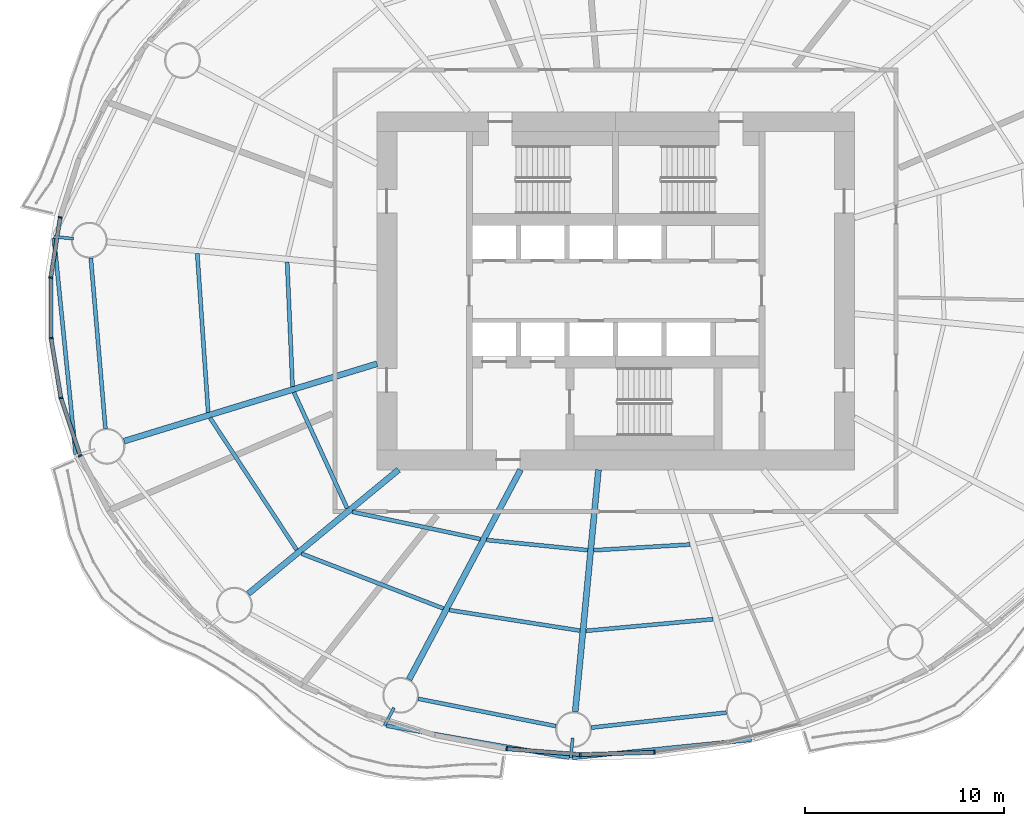
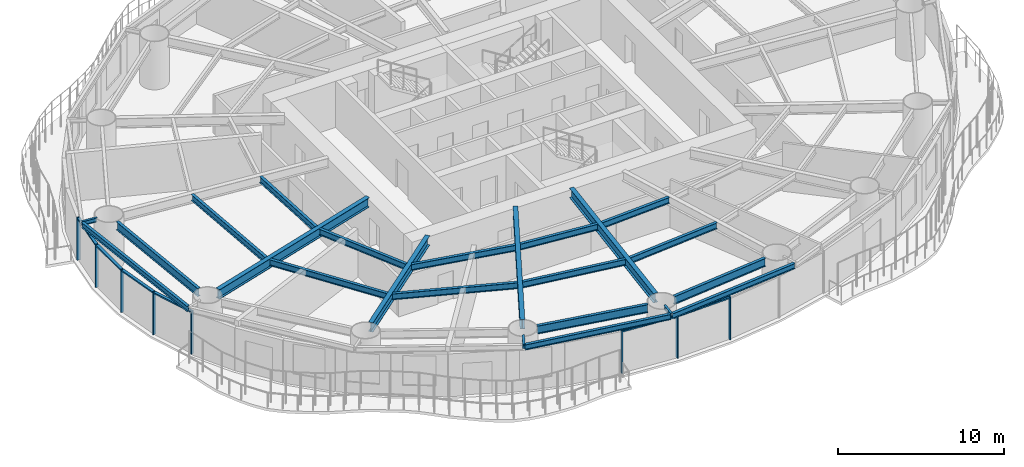
# One storey, part 2 of 17: 23 beams, 14 members, 7 elements without a shape of their own.
"""IFC4 building model written with IfcOpenShell, lengths in metres."""

from ifc_helpers import new_model, si_unit, direction, frame, origin, origin_2d, place, context, subcontext, project, spatial, rectangle, i_section, extrude, material, material_profile, profile_set, type_object, element, aggregate, save


model = new_model("IFC4")

# Units and contexts
model_context = context("Model", 3, precision=1e-05, world=origin(), true_north=direction((0.0, 1.0)))
body_context = subcontext(model_context, "Body", "Model", "MODEL_VIEW")
ifc_project = project(units=[si_unit("LENGTHUNIT", "METRE"), si_unit("AREAUNIT", "SQUARE_METRE"), si_unit("VOLUMEUNIT", "CUBIC_METRE"), si_unit("PLANEANGLEUNIT", "RADIAN"), si_unit("MASSUNIT", "GRAM", prefix="KILO")], contexts=[model_context])

# Site, building, storey
site_placement = place(None, origin())
site = spatial("IfcSite", under=ifc_project, at=site_placement, CompositionType="ELEMENT")
building_placement = place(site_placement, origin())
building = spatial("IfcBuilding", under=site, at=building_placement, Name="Vermilion Reach Broadcast Tower", CompositionType="ELEMENT")
storey_placement = place(building_placement, frame((0.0, 0.0, 54.5)))
storey = spatial("IfcBuildingStorey", under=building, at=storey_placement, Name="L10", CompositionType="ELEMENT", Elevation=54.5)

# Beams
ifc_material_1 = material(Name="Steel S355J2", Category="steel")
ifc_material_profile_1 = material_profile(ifc_material_1, i_section(OverallWidth=0.199951171875, OverallDepth=0.39990234375, WebThickness=0.008056640625, FlangeThickness=0.012939453125, at=origin_2d()), Name="S355J2 HN 400x200x8x13")
ifc_profile_set_1 = profile_set([ifc_material_profile_1], Name="Steel S355J2")
beam_type_1 = type_object("IfcBeamType", Name="EB1 HN 400x200x8x13", PredefinedType="BEAM", material=ifc_profile_set_1)
beam_1_placement = place(storey_placement, frame((-34.2412109375, 2.638916015625, 3.35009765625), z_axis=(0.100362561945, -0.994950931534, 0.0), x_axis=(0.994950931534, 0.100362561945, 0.0)))
element("IfcBeam", 1, at=beam_1_placement, inside=storey, type_object=beam_type_1, Name="Edge beam EB1-08", PredefinedType="BEAM", context=body_context, shape_type="SweptSolid", body=[
    extrude(i_section(OverallWidth=0.199951171875, OverallDepth=0.39990234375, WebThickness=0.008056640625, FlangeThickness=0.012939453125, at=origin_2d()), origin(), (0.0, 0.0, 1.0), 10.919921875),
])
beam_2_placement = place(storey_placement, frame((-17.535888671875, -21.864501953125, 3.35009765625), z_axis=(0.985051200798, -0.172261811805, 0.0), x_axis=(0.172261811805, 0.985051200798, 0.0)))
element("IfcBeam", 2, at=beam_2_placement, inside=storey, type_object=beam_type_1, Name="Edge beam EB1-11", PredefinedType="BEAM", context=body_context, shape_type="SweptSolid", body=[
    extrude(i_section(OverallWidth=0.199951171875, OverallDepth=0.39990234375, WebThickness=0.008056640625, FlangeThickness=0.012939453125, at=origin_2d()), origin(), (0.0, 0.0, 1.0), 9.343994140625),
])
beam_3_placement = place(storey_placement, frame((-8.181396484375, -23.4794921875, 3.35009765625), z_axis=(0.994950308278, 0.100368740444, 0.0), x_axis=(-0.100368740444, 0.994950308278, 0.0)))
element("IfcBeam", 3, at=beam_3_placement, inside=storey, type_object=beam_type_1, Name="Edge beam EB1-12", PredefinedType="BEAM", context=body_context, shape_type="SweptSolid", body=[
    extrude(i_section(OverallWidth=0.199951171875, OverallDepth=0.39990234375, WebThickness=0.008056640625, FlangeThickness=0.012939453125, at=origin_2d()), origin(), (0.0, 0.0, 1.0), 9.053466796875),
])
ifc_material_2 = material(Name="Steel S355J2", Category="steel")
ifc_material_profile_2 = material_profile(ifc_material_2, i_section(OverallWidth=0.300048828125, OverallDepth=0.699951171875, WebThickness=0.012939453125, FlangeThickness=0.02392578125, at=origin_2d()), Name="S355J2 HN 700x300x13x24")
ifc_profile_set_2 = profile_set([ifc_material_profile_2], Name="Steel S355J2")
beam_type_2 = type_object("IfcBeamType", Name="G1 HN 700x300x13x24", PredefinedType="BEAM", material=ifc_profile_set_2)
beam_4_placement = place(storey_placement, frame((-18.0, -3.671142578125, 3.199951171875), z_axis=(-0.956255735186, -0.292531996409, 0.0), x_axis=(0.292531996409, -0.956255735186, 0.0)))
element("IfcBeam", 4, at=beam_4_placement, inside=storey, type_object=beam_type_2, Name="Girder G1-09", PredefinedType="BEAM", context=body_context, shape_type="SweptSolid", body=[
    extrude(i_section(OverallWidth=0.300048828125, OverallDepth=0.699951171875, WebThickness=0.012939453125, FlangeThickness=0.02392578125, at=origin_2d()), origin(), (0.0, 0.0, 1.0), 13.29638671875),
])
beam_5_placement = place(storey_placement, frame((-16.9140625, -9.0, 3.199951171875), z_axis=(-0.771514256373, -0.636212034005, 0.0), x_axis=(0.636212034005, -0.771514256373, 0.0)))
element("IfcBeam", 5, at=beam_5_placement, inside=storey, type_object=beam_type_2, Name="Girder G1-10", PredefinedType="BEAM", context=body_context, shape_type="SweptSolid", body=[
    extrude(i_section(OverallWidth=0.300048828125, OverallDepth=0.699951171875, WebThickness=0.012939453125, FlangeThickness=0.02392578125, at=origin_2d()), origin(), (0.0, 0.0, 1.0), 9.796142578125),
])
beam_6_placement = place(storey_placement, frame((-10.783447265625, -9.0, 3.199951171875), z_axis=(-0.469312182262, -0.883032318537, 0.0), x_axis=(0.883032318537, -0.469312182262, 0.0)))
element("IfcBeam", 6, at=beam_6_placement, inside=storey, type_object=beam_type_2, Name="Girder G1-11", PredefinedType="BEAM", context=body_context, shape_type="SweptSolid", body=[
    extrude(i_section(OverallWidth=0.300048828125, OverallDepth=0.699951171875, WebThickness=0.012939453125, FlangeThickness=0.02392578125, at=origin_2d()), origin(), (0.0, 0.0, 1.0), 11.94091796875),
])
beam_7_placement = place(storey_placement, frame((-6.864990234375, -9.0, 3.199951171875), z_axis=(-0.09566673912, -0.995413419151, 0.0), x_axis=(0.995413419151, -0.09566673912, 0.0)))
element("IfcBeam", 7, at=beam_7_placement, inside=storey, type_object=beam_type_2, Name="Girder G1-12", PredefinedType="BEAM", context=body_context, shape_type="SweptSolid", body=[
    extrude(i_section(OverallWidth=0.300048828125, OverallDepth=0.699951171875, WebThickness=0.012939453125, FlangeThickness=0.02392578125, at=origin_2d()), origin(), (0.0, 0.0, 1.0), 12.22412109375),
])
ifc_material_3 = material(Name="Steel S355J2", Category="steel")
ifc_material_profile_3 = material_profile(ifc_material_3, i_section(OverallWidth=0.14990234375, OverallDepth=0.300048828125, WebThickness=0.006591796875, FlangeThickness=0.009033203125, at=origin_2d()), Name="S355J2 HN 300x150x6.5x9")
ifc_profile_set_3 = profile_set([ifc_material_profile_3], Name="Steel S355J2")
beam_type_3 = type_object("IfcBeamType", Name="GS1 HN 300x150x6.5x9", PredefinedType="BEAM", material=ifc_profile_set_3)
for number, where, z_axis, x_axis, name in (
    (8, (-33.25341796875, 2.619384765625, 3.39990234375), (-0.995409476419, 0.095707754417, 0.0), (-0.095707754417, -0.995409476419, 0.0), "Cantilever stub GS1-08"),
    (9, (-17.144287109375, -20.968017578125, 3.39990234375), (-0.469244476458, -0.883068299348, 0.0), (0.883068299348, -0.469244476458, 0.0), "Cantilever stub GS1-11"),
    (10, (-8.161865234375, -22.49169921875, 3.39990234375), (-0.095465829939, -0.995432707577, 0.0), (0.995432707577, -0.095465829939, 0.0), "Cantilever stub GS1-12"),
):
    element("IfcBeam", number, at=place(storey_placement, frame(where, z_axis=z_axis, x_axis=x_axis)), inside=storey, type_object=beam_type_3, Name=name, PredefinedType="BEAM", context=body_context, shape_type="SweptSolid", body=[
        extrude(i_section(OverallWidth=0.14990234375, OverallDepth=0.300048828125, WebThickness=0.006591796875, FlangeThickness=0.009033203125, at=origin_2d()), origin(), (0.0, 0.0, 1.0), 1.0),
    ])
ifc_material_4 = material(Name="Steel S355J2", Category="steel")
ifc_material_profile_4 = material_profile(ifc_material_4, i_section(OverallWidth=0.199951171875, OverallDepth=0.60009765625, WebThickness=0.010986328125, FlangeThickness=0.01708984375, at=origin_2d()), Name="S355J2 HN 600x200x11x17")
ifc_profile_set_4 = profile_set([ifc_material_profile_4], Name="Steel S355J2")
beam_type_4 = type_object("IfcBeamType", Name="RB1 HN 600x200x11x17", PredefinedType="BEAM", material=ifc_profile_set_4)
beam_8_placement = place(storey_placement, frame((-32.38720703125, 1.646728515625, 3.25), z_axis=(0.085395508608, -0.996347131832, 0.0), x_axis=(0.996347131832, 0.085395508608, 0.0)))
element("IfcBeam", 11, at=beam_8_placement, inside=storey, type_object=beam_type_4, Name="Ring beam RB1-08", PredefinedType="BEAM", context=body_context, shape_type="SweptSolid", body=[
    extrude(i_section(OverallWidth=0.199951171875, OverallDepth=0.60009765625, WebThickness=0.010986328125, FlangeThickness=0.01708984375, at=origin_2d()), origin(), (0.0, 0.0, 1.0), 8.60546875),
])
beam_9_placement = place(storey_placement, frame((-15.927001953125, -20.51416015625, 3.25), z_axis=(0.980857717995, -0.194725799651, 0.0), x_axis=(0.194725799651, 0.980857717995, 0.0)))
element("IfcBeam", 12, at=beam_9_placement, inside=storey, type_object=beam_type_4, Name="Ring beam RB1-11", PredefinedType="BEAM", context=body_context, shape_type="SweptSolid", body=[
    extrude(i_section(OverallWidth=0.199951171875, OverallDepth=0.60009765625, WebThickness=0.010986328125, FlangeThickness=0.01708984375, at=origin_2d()), origin(), (0.0, 0.0, 1.0), 7.05859375),
])
beam_10_placement = place(storey_placement, frame((-7.22607421875, -21.964111328125, 3.25), z_axis=(0.993851439324, 0.110721798009, 0.0), x_axis=(-0.110721798009, 0.993851439324, 0.0)))
element("IfcBeam", 13, at=beam_10_placement, inside=storey, type_object=beam_type_4, Name="Ring beam RB1-12", PredefinedType="BEAM", context=body_context, shape_type="SweptSolid", body=[
    extrude(i_section(OverallWidth=0.199951171875, OverallDepth=0.60009765625, WebThickness=0.010986328125, FlangeThickness=0.01708984375, at=origin_2d()), origin(), (0.0, 0.0, 1.0), 6.8310546875),
])
ifc_material_5 = material(Name="Steel S355J2", Category="steel")
ifc_material_profile_5 = material_profile(ifc_material_5, i_section(OverallWidth=0.199951171875, OverallDepth=0.449951171875, WebThickness=0.009033203125, FlangeThickness=0.013916015625, at=origin_2d()), Name="S355J2 HN 450x200x9x14")
ifc_profile_set_5 = profile_set([ifc_material_profile_5], Name="Steel S355J2")
beam_type_5 = type_object("IfcBeamType", Name="SB1 HN 450x200x9x14", PredefinedType="BEAM", material=ifc_profile_set_5)
beam_11_placement = place(storey_placement, frame((-22.51611328125, 1.436767578125, 3.324951171875), z_axis=(0.043361007512, -0.999059469215, 0.0), x_axis=(0.999059469215, 0.043361007512, 0.0)))
element("IfcBeam", 14, at=beam_11_placement, inside=storey, type_object=beam_type_5, Name="Secondary beam SB1-08-1", PredefinedType="BEAM", context=body_context, shape_type="SweptSolid", body=[
    extrude(i_section(OverallWidth=0.199951171875, OverallDepth=0.449951171875, WebThickness=0.009033203125, FlangeThickness=0.013916015625, at=origin_2d()), origin(), (0.0, 0.0, 1.0), 6.25537109375),
])
beam_12_placement = place(storey_placement, frame((-27.03515625, 1.87109375, 3.324951171875), z_axis=(0.068507801475, -0.997650580683, 0.0), x_axis=(0.997650580683, 0.068507801475, 0.0)))
element("IfcBeam", 15, at=beam_12_placement, inside=storey, type_object=beam_type_5, Name="Secondary beam SB1-08-2", PredefinedType="BEAM", context=body_context, shape_type="SweptSolid", body=[
    extrude(i_section(OverallWidth=0.199951171875, OverallDepth=0.449951171875, WebThickness=0.009033203125, FlangeThickness=0.013916015625, at=origin_2d()), origin(), (0.0, 0.0, 1.0), 8.00048828125),
])
beam_13_placement = place(storey_placement, frame((-22.175048828125, -5.105224609375, 3.324951171875), z_axis=(0.417211452529, -0.908809443106, 0.0), x_axis=(0.908809443106, 0.417211452529, 0.0)))
element("IfcBeam", 16, at=beam_13_placement, inside=storey, type_object=beam_type_5, Name="Secondary beam SB1-09-1", PredefinedType="BEAM", context=body_context, shape_type="SweptSolid", body=[
    extrude(i_section(OverallWidth=0.199951171875, OverallDepth=0.449951171875, WebThickness=0.009033203125, FlangeThickness=0.013916015625, at=origin_2d()), origin(), (0.0, 0.0, 1.0), 6.41650390625),
])
beam_14_placement = place(storey_placement, frame((-26.390625, -6.394775390625, 3.324951171875), z_axis=(0.548800909102, -0.835953086105, 0.0), x_axis=(0.835953086105, 0.548800909102, 0.0)))
element("IfcBeam", 17, at=beam_14_placement, inside=storey, type_object=beam_type_5, Name="Secondary beam SB1-09-2", PredefinedType="BEAM", context=body_context, shape_type="SweptSolid", body=[
    extrude(i_section(OverallWidth=0.199951171875, OverallDepth=0.449951171875, WebThickness=0.009033203125, FlangeThickness=0.013916015625, at=origin_2d()), origin(), (0.0, 0.0, 1.0), 7.935791015625),
])
beam_15_placement = place(storey_placement, frame((-19.24560546875, -11.1171875, 3.324951171875), z_axis=(0.978270372412, -0.207333254596, 0.0), x_axis=(0.207333254596, 0.978270372412, 0.0)))
element("IfcBeam", 18, at=beam_15_placement, inside=storey, type_object=beam_type_5, Name="Secondary beam SB1-10-1", PredefinedType="BEAM", context=body_context, shape_type="SweptSolid", body=[
    extrude(i_section(OverallWidth=0.199951171875, OverallDepth=0.449951171875, WebThickness=0.009033203125, FlangeThickness=0.013916015625, at=origin_2d()), origin(), (0.0, 0.0, 1.0), 6.584716796875),
])
beam_16_placement = place(storey_placement, frame((-21.7919921875, -13.217041015625, 3.324951171875), z_axis=(0.932680743753, -0.360702966765, 0.0), x_axis=(0.360702966765, 0.932680743753, 0.0)))
element("IfcBeam", 19, at=beam_16_placement, inside=storey, type_object=beam_type_5, Name="Secondary beam SB1-10-2", PredefinedType="BEAM", context=body_context, shape_type="SweptSolid", body=[
    extrude(i_section(OverallWidth=0.199951171875, OverallDepth=0.449951171875, WebThickness=0.009033203125, FlangeThickness=0.013916015625, at=origin_2d()), origin(), (0.0, 0.0, 1.0), 7.646240234375),
])
beam_17_placement = place(storey_placement, frame((-12.490234375, -12.531005859375, 3.324951171875), z_axis=(0.995010199331, -0.099773259079, 0.0), x_axis=(0.099773259079, 0.995010199331, 0.0)))
element("IfcBeam", 20, at=beam_17_placement, inside=storey, type_object=beam_type_5, Name="Secondary beam SB1-11-1", PredefinedType="BEAM", context=body_context, shape_type="SweptSolid", body=[
    extrude(i_section(OverallWidth=0.199951171875, OverallDepth=0.449951171875, WebThickness=0.009033203125, FlangeThickness=0.013916015625, at=origin_2d()), origin(), (0.0, 0.0, 1.0), 5.111572265625),
])
beam_18_placement = place(storey_placement, frame((-14.36279296875, -16.05419921875, 3.324951171875), z_axis=(0.987829548379, -0.155540294938, 0.0), x_axis=(0.155540294938, 0.987829548379, 0.0)))
element("IfcBeam", 21, at=beam_18_placement, inside=storey, type_object=beam_type_5, Name="Secondary beam SB1-11-2", PredefinedType="BEAM", context=body_context, shape_type="SweptSolid", body=[
    extrude(i_section(OverallWidth=0.199951171875, OverallDepth=0.449951171875, WebThickness=0.009033203125, FlangeThickness=0.013916015625, at=origin_2d()), origin(), (0.0, 0.0, 1.0), 6.650634765625),
])
beam_19_placement = place(storey_placement, frame((-7.103271484375, -13.046875, 3.324951171875), z_axis=(0.99823410974, 0.059402543307, 0.0), x_axis=(-0.059402543307, 0.99823410974, 0.0)))
element("IfcBeam", 22, at=beam_19_placement, inside=storey, type_object=beam_type_5, Name="Secondary beam SB1-12-1", PredefinedType="BEAM", context=body_context, shape_type="SweptSolid", body=[
    extrude(i_section(OverallWidth=0.199951171875, OverallDepth=0.449951171875, WebThickness=0.009033203125, FlangeThickness=0.013916015625, at=origin_2d()), origin(), (0.0, 0.0, 1.0), 4.85791015625),
])
beam_20_placement = place(storey_placement, frame((-7.49267578125, -17.09814453125, 3.324951171875), z_axis=(0.995818616382, 0.091352521952, 0.0), x_axis=(-0.091352521952, 0.995818616382, 0.0)))
element("IfcBeam", 23, at=beam_20_placement, inside=storey, type_object=beam_type_5, Name="Secondary beam SB1-12-2", PredefinedType="BEAM", context=body_context, shape_type="SweptSolid", body=[
    extrude(i_section(OverallWidth=0.199951171875, OverallDepth=0.449951171875, WebThickness=0.009033203125, FlangeThickness=0.013916015625, at=origin_2d()), origin(), (0.0, 0.0, 1.0), 6.4140625),
])

# Curtain wall, member
ifc_material_6 = material(Name="Low-e laminated clear glass in aluminium frame", Category="aluminium")
curtain_wall_type = type_object("IfcCurtainWallType", Name="Slot curtain wall", PredefinedType="NOTDEFINED", material=ifc_material_6)
placement = place(storey_placement, origin())
curtain_wall_1 = element("IfcCurtainWall", 24, at=placement, inside=storey, type_object=curtain_wall_type, Name="Slot curtain wall L10 22", PredefinedType="NOTDEFINED")
ifc_material_7 = material(Name="Anodised aluminium", Category="aluminium")
ifc_material_profile_6 = material_profile(ifc_material_7, rectangle(XDim=0.199951171875, YDim=0.080078125, at=origin_2d()), Name="Slot mullion 80 x 200")
ifc_profile_set_6 = profile_set([ifc_material_profile_6], Name="Anodised aluminium")
member_type_1 = type_object("IfcMemberType", Name="Slot mullion 80 x 200", PredefinedType="MULLION", material=ifc_profile_set_6)
member_1_placement = place(storey_placement, frame((-33.926025390625, 3.68798828125, 0.0), z_axis=(0.0, 0.0, 1.0), x_axis=(0.973285467986, -0.229598340167, 0.0)))
member_1 = element("IfcMember", 25, at=member_1_placement, type_object=member_type_1, Name="Slot mullion L10 22", PredefinedType="MULLION", context=body_context, shape_type="SweptSolid", body=[
    extrude(rectangle(XDim=0.199951171875, YDim=0.080078125, at=origin_2d()), origin(), (0.0, 0.0, 1.0), 3.14990234375),
])

curtain_wall_2 = element("IfcCurtainWall", 26, at=placement, inside=storey, type_object=curtain_wall_type, Name="Slot curtain wall L10 23", PredefinedType="NOTDEFINED")
member_2_placement = place(storey_placement, frame((-34.397705078125, 0.6572265625, 0.0), z_axis=(0.0, 0.0, 1.0), x_axis=(0.997173504298, -0.075133230503, 0.0)))
member_2 = element("IfcMember", 27, at=member_2_placement, type_object=member_type_1, Name="Slot mullion L10 23", PredefinedType="MULLION", context=body_context, shape_type="SweptSolid", body=[
    extrude(rectangle(XDim=0.199951171875, YDim=0.080078125, at=origin_2d()), origin(), (0.0, 0.0, 1.0), 3.14990234375),
])

curtain_wall_3 = element("IfcCurtainWall", 28, at=placement, inside=storey, type_object=curtain_wall_type, Name="Slot curtain wall L10 24", PredefinedType="NOTDEFINED")
member_3_placement = place(storey_placement, frame((-34.3857421875, -2.383544921875, 0.0), z_axis=(0.0, 0.0, 1.0), x_axis=(0.996492861481, 0.083677816757, 0.0)))
member_3 = element("IfcMember", 29, at=member_3_placement, type_object=member_type_1, Name="Slot mullion L10 24", PredefinedType="MULLION", context=body_context, shape_type="SweptSolid", body=[
    extrude(rectangle(XDim=0.199951171875, YDim=0.080078125, at=origin_2d()), origin(), (0.0, 0.0, 1.0), 3.14990234375),
])

# Curtain wall, members
curtain_wall_4 = element("IfcCurtainWall", 30, at=placement, inside=storey, type_object=curtain_wall_type, Name="Slot curtain wall L10 25", PredefinedType="NOTDEFINED")
member_4_placement = place(storey_placement, frame((-33.890380859375, -5.384033203125, 0.0), z_axis=(0.0, 0.0, 1.0), x_axis=(0.97067926239, 0.240378388309, 0.0)))
member_4 = element("IfcMember", 31, at=member_4_placement, type_object=member_type_1, Name="Slot mullion L10 25", PredefinedType="MULLION", context=body_context, shape_type="SweptSolid", body=[
    extrude(rectangle(XDim=0.199951171875, YDim=0.080078125, at=origin_2d()), origin(), (0.0, 0.0, 1.0), 3.14990234375),
])
member_5_placement = place(storey_placement, frame((-32.919921875, -8.29345703125, 0.0), z_axis=(0.0, 0.0, 1.0), x_axis=(0.921365789594, 0.388696644912, 0.0)))
member_5 = element("IfcMember", 32, at=member_5_placement, type_object=member_type_1, Name="Slot mullion L10 26", PredefinedType="MULLION", context=body_context, shape_type="SweptSolid", body=[
    extrude(rectangle(XDim=0.199951171875, YDim=0.080078125, at=origin_2d()), origin(), (0.0, 0.0, 1.0), 3.14990234375),
])

# Curtain wall, member
curtain_wall_5 = element("IfcCurtainWall", 33, at=placement, inside=storey, type_object=curtain_wall_type, Name="Slot curtain wall L10 34", PredefinedType="NOTDEFINED")
member_6_placement = place(storey_placement, frame((-11.47802734375, -23.030517578125, 0.0), z_axis=(0.0, 0.0, 1.0), x_axis=(0.132273716698, 0.991213228257, 0.0)))
member_6 = element("IfcMember", 34, at=member_6_placement, type_object=member_type_1, Name="Slot mullion L10 34", PredefinedType="MULLION", context=body_context, shape_type="SweptSolid", body=[
    extrude(rectangle(XDim=0.199951171875, YDim=0.080078125, at=origin_2d()), origin(), (0.0, 0.0, 1.0), 3.14990234375),
])

curtain_wall_6 = element("IfcCurtainWall", 35, at=placement, inside=storey, type_object=curtain_wall_type, Name="Slot curtain wall L10 35", PredefinedType="NOTDEFINED")
member_7_placement = place(storey_placement, frame((-7.780029296875, -23.31884765625, 0.0), z_axis=(0.0, 0.0, 1.0), x_axis=(0.023837860738, 0.999715837824, 0.0)))
member_7 = element("IfcMember", 36, at=member_7_placement, type_object=member_type_1, Name="Slot mullion L10 35", PredefinedType="MULLION", context=body_context, shape_type="SweptSolid", body=[
    extrude(rectangle(XDim=0.199951171875, YDim=0.080078125, at=origin_2d()), origin(), (0.0, 0.0, 1.0), 3.14990234375),
])

curtain_wall_7 = element("IfcCurtainWall", 37, at=placement, inside=storey, type_object=curtain_wall_type, Name="Slot curtain wall L10 36", PredefinedType="NOTDEFINED")
member_8_placement = place(storey_placement, frame((-4.05126953125, -23.20654296875, 0.0), z_axis=(0.0, 0.0, 1.0), x_axis=(-0.083677890987, 0.996492855248, 0.0)))
member_8 = element("IfcMember", 38, at=member_8_placement, type_object=member_type_1, Name="Slot mullion L10 36", PredefinedType="MULLION", context=body_context, shape_type="SweptSolid", body=[
    extrude(rectangle(XDim=0.199951171875, YDim=0.080078125, at=origin_2d()), origin(), (0.0, 0.0, 1.0), 3.14990234375),
])
aggregate(curtain_wall_7, [member_8])

# Member
ifc_material_8 = material(Name="Anodised aluminium", Category="aluminium")
ifc_material_profile_7 = material_profile(ifc_material_8, rectangle(XDim=0.199951171875, YDim=0.10009765625, at=origin_2d()), Name="Slot transom 200 x 100")
ifc_profile_set_7 = profile_set([ifc_material_profile_7], Name="Anodised aluminium")
member_type_2 = type_object("IfcMemberType", Name="Slot transom 200 x 100", PredefinedType="USERDEFINED", material=ifc_profile_set_7)
member_9_placement = place(storey_placement, frame((-33.932373046875, 3.6484375, 3.10009765625), z_axis=(-0.153733605822, -0.988112330882, 0.0), x_axis=(0.988112330882, -0.153733605822, 0.0)))
member_9 = element("IfcMember", 39, at=member_9_placement, type_object=member_type_2, Name="Slot transom L10 22.1", ObjectType="TRANSOM", PredefinedType="USERDEFINED", context=body_context, shape_type="SweptSolid", body=[
    extrude(rectangle(XDim=0.199951171875, YDim=0.10009765625, at=origin_2d()), origin(), (0.0, 0.0, 1.0), 2.987060546875),
])

aggregate(curtain_wall_1, [member_1, member_9])

member_10_placement = place(storey_placement, frame((-34.3974609375, 0.617431640625, 3.10009765625), z_axis=(0.003957752644, -0.999992168066, 0.0), x_axis=(0.999992168066, 0.003957752644, 0.0)))
member_10 = element("IfcMember", 40, at=member_10_placement, type_object=member_type_2, Name="Slot transom L10 23.1", ObjectType="TRANSOM", PredefinedType="USERDEFINED", context=body_context, shape_type="SweptSolid", body=[
    extrude(rectangle(XDim=0.199951171875, YDim=0.10009765625, at=origin_2d()), origin(), (0.0, 0.0, 1.0), 2.9609375),
])

aggregate(curtain_wall_2, [member_2, member_10])

member_11_placement = place(storey_placement, frame((-34.379150390625, -2.423095703125, 3.10009765625), z_axis=(0.16284774702, -0.986651210555, 0.0), x_axis=(0.986651210555, 0.16284774702, 0.0)))
member_11 = element("IfcMember", 41, at=member_11_placement, type_object=member_type_2, Name="Slot transom L10 24.1", ObjectType="TRANSOM", PredefinedType="USERDEFINED", context=body_context, shape_type="SweptSolid", body=[
    extrude(rectangle(XDim=0.199951171875, YDim=0.10009765625, at=origin_2d()), origin(), (0.0, 0.0, 1.0), 2.9609375),
])

aggregate(curtain_wall_3, [member_3, member_11])

member_12_placement = place(storey_placement, frame((-33.877685546875, -5.421875, 3.10009765625), z_axis=(0.316374875306, -0.948634248947, 0.0), x_axis=(0.948634248947, 0.316374875306, 0.0)))
member_12 = element("IfcMember", 42, at=member_12_placement, type_object=member_type_2, Name="Slot transom L10 25.1", ObjectType="TRANSOM", PredefinedType="USERDEFINED", context=body_context, shape_type="SweptSolid", body=[
    extrude(rectangle(XDim=0.199951171875, YDim=0.10009765625, at=origin_2d()), origin(), (0.0, 0.0, 1.0), 2.987060546875),
])

aggregate(curtain_wall_4, [member_4, member_5, member_12])

member_13_placement = place(storey_placement, frame((-11.43798828125, -23.03369140625, 3.10009765625), z_axis=(0.996976815472, -0.077699610113, 0.0), x_axis=(0.077699610113, 0.996976815472, 0.0)))
member_13 = element("IfcMember", 43, at=member_13_placement, type_object=member_type_2, Name="Slot transom L10 34.1", ObjectType="TRANSOM", PredefinedType="USERDEFINED", context=body_context, shape_type="SweptSolid", body=[
    extrude(rectangle(XDim=0.199951171875, YDim=0.10009765625, at=origin_2d()), origin(), (0.0, 0.0, 1.0), 3.629150390625),
])

aggregate(curtain_wall_5, [member_6, member_13])

member_14_placement = place(storey_placement, frame((-7.739990234375, -23.317626953125, 3.10009765625), z_axis=(0.999546989774, 0.030096764496, 0.0), x_axis=(-0.030096764496, 0.999546989774, 0.0)))
member_14 = element("IfcMember", 44, at=member_14_placement, type_object=member_type_2, Name="Slot transom L10 35.1", ObjectType="TRANSOM", PredefinedType="USERDEFINED", context=body_context, shape_type="SweptSolid", body=[
    extrude(rectangle(XDim=0.199951171875, YDim=0.10009765625, at=origin_2d()), origin(), (0.0, 0.0, 1.0), 3.650390625),
])

aggregate(curtain_wall_6, [member_7, member_14])

save(model, "model.ifc")
